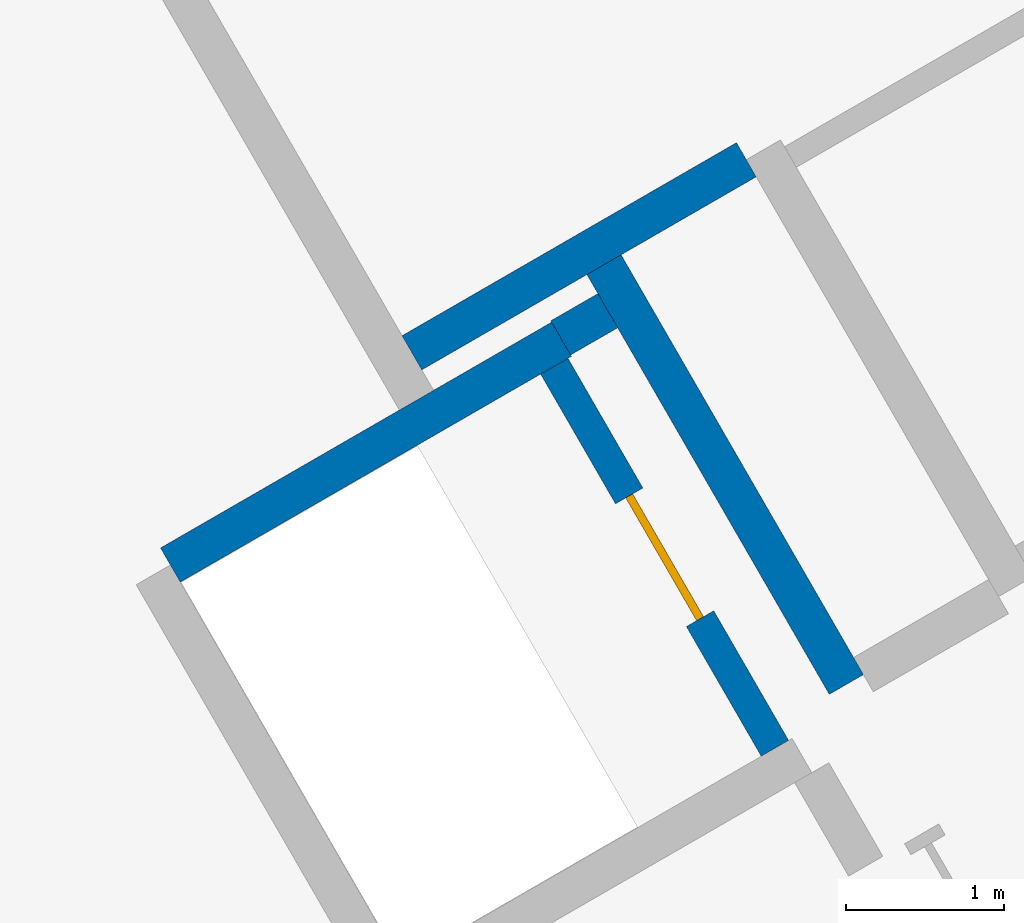
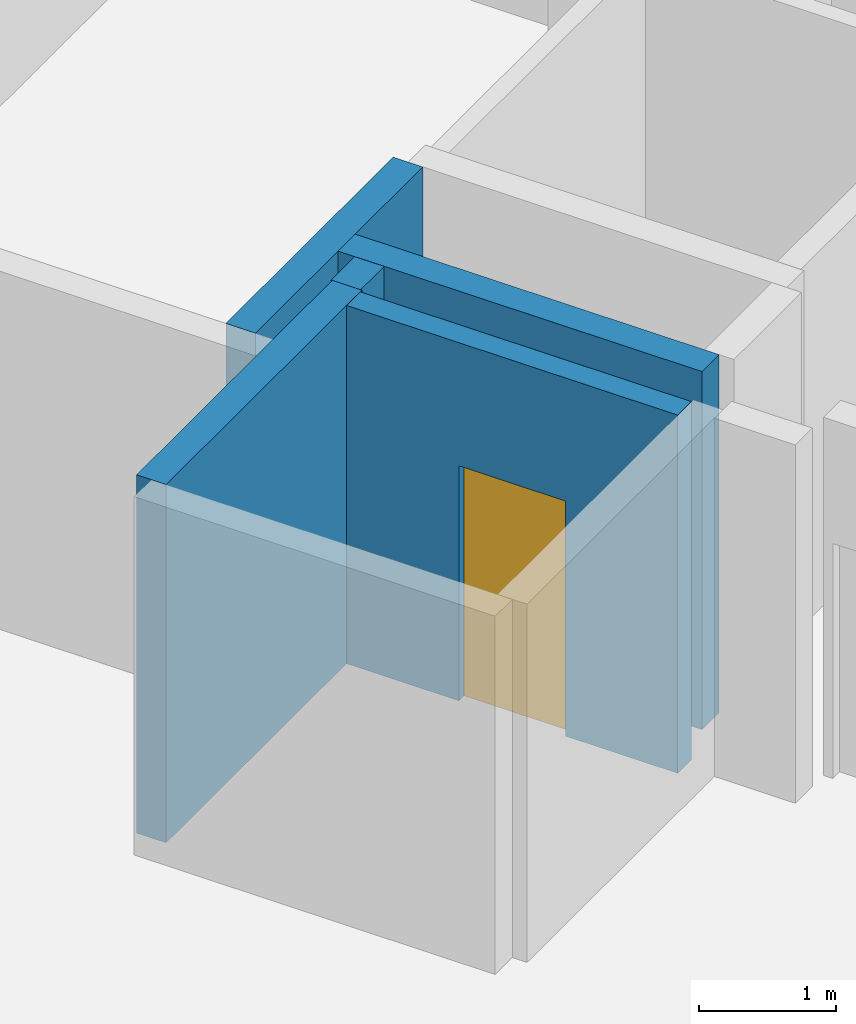
# One storey, part 7 of 37: 5 walls, 1 door, 1 opening.
"""IFC4 building model written with IfcOpenShell, lengths in metres."""

from ifc_helpers import new_model, si_unit, direction, frame, frame_2d, origin, place, context, subcontext, project, spatial, rectangle, extrude, material, layer, layer_set, type_object, element, fill, save


model = new_model("IFC4")

# Units and contexts
model_context = context("Model", 3, precision=1e-05, world=origin(), true_north=direction((0.0, 1.0)))
body_context = subcontext(model_context, "Body", "Model", "MODEL_VIEW")
ifc_project = project(units=[si_unit("LENGTHUNIT", "METRE"), si_unit("AREAUNIT", "SQUARE_METRE"), si_unit("VOLUMEUNIT", "CUBIC_METRE"), si_unit("PLANEANGLEUNIT", "RADIAN"), si_unit("MASSUNIT", "GRAM", prefix="KILO")], contexts=[model_context])

# Site, building, storey
site_placement = place(None, origin())
site = spatial("IfcSite", under=ifc_project, at=site_placement, CompositionType="ELEMENT")
building_placement = place(site_placement, origin())
building = spatial("IfcBuilding", under=site, at=building_placement, Name="Tamra Quay Hotel Tower", CompositionType="ELEMENT")
storey_placement = place(building_placement, frame((0.0, 0.0, -7.199951171875)))
storey = spatial("IfcBuildingStorey", under=building, at=storey_placement, Name="B2", CompositionType="ELEMENT", Elevation=-7.199951171875)

# Wall, opening, door
ifc_material_1 = material(Name="Concrete M70", Category="concrete")
ifc_layer_1 = layer(ifc_material_1, 0.199951171875)
ifc_layer_set_1 = layer_set([ifc_layer_1], Name="Concrete M70 core wall 200")
wall_type_1 = type_object("IfcWallType", Name="Concrete M70 core wall 200", PredefinedType="SHEAR", material=ifc_layer_set_1)
wall_1_placement = place(storey_placement, frame((5.50341796875, -19.352294921875, 0.0), z_axis=(0.0, 0.0, 1.0), x_axis=(-0.499986818241, 0.866033014143, 0.0)))
wall_1 = element("IfcWall", 1, at=wall_1_placement, inside=storey, type_object=wall_type_1, Name="CW2", PredefinedType="SHEAR", context=body_context, shape_type="SweptSolid", body=[
    extrude(rectangle(XDim=2.7978515625, YDim=0.199951171875, at=frame_2d((1.39892578125, 0.0))), origin(), (0.0, 0.0, 1.0), 3.199951171875),
])
opening_placement = place(wall_1_placement, frame((0.948974609375, 0.0, 0.0)))
opening = element("IfcOpeningElement", 2, at=opening_placement, cuts=wall_1, Name="Opening D1", PredefinedType="OPENING", context=body_context, shape_type="SweptSolid", body=[
    extrude(rectangle(XDim=0.89990234375, YDim=2.10009765625, at=frame_2d((0.449951171875, 1.050048828125))), frame((0.0, 0.10986328125, 0.0), z_axis=(0.0, -1.0, 0.0), x_axis=(1.0, 0.0, 0.0)), (0.0, 0.0, 1.0), 0.219970703125),
])
ifc_material_2 = material(Name="Core door D1 900x2100 LH")
door_type = type_object("IfcDoorType", Name="Core door D1 900x2100 LH", OperationType="NOTDEFINED", PredefinedType="DOOR", material=ifc_material_2)
door_placement = place(opening_placement, origin())
door = element("IfcDoor", 3, at=door_placement, inside=storey, type_object=door_type, Name="D1", OperationType="SINGLE_SWING_LEFT", OverallHeight=2.10009765625, OverallWidth=0.89990234375, PredefinedType="DOOR", context=body_context, shape_type="SweptSolid", body=[
    extrude(rectangle(XDim=0.89990234375, YDim=2.10009765625, at=frame_2d((0.449951171875, 1.050048828125))), frame((0.0, 0.02490234375, 0.0), z_axis=(0.0, -1.0, 0.0), x_axis=(1.0, 0.0, 0.0)), (0.0, 0.0, 1.0), 0.050048828125),
])
fill(opening, door)

# Walls
ifc_layer_2 = layer(ifc_material_1, 0.25)
ifc_layer_set_2 = layer_set([ifc_layer_2], Name="Concrete M70 core wall 250")
wall_type_2 = type_object("IfcWallType", Name="Concrete M70 core wall 250", PredefinedType="SHEAR", material=ifc_layer_set_2)
wall_2_placement = place(storey_placement, frame((1.6689453125, -18.189697265625, 0.0), z_axis=(0.0, 0.0, 1.0), x_axis=(0.866042235819, 0.499970844928, 0.0)))
element("IfcWall", 4, at=wall_2_placement, inside=storey, type_object=wall_type_2, Name="CW1", PredefinedType="SHEAR", context=body_context, shape_type="SweptSolid", body=[
    extrude(rectangle(XDim=2.864501953125, YDim=0.25, at=frame_2d((1.43212890625, 0.0))), origin(), (0.0, 0.0, 1.0), 3.199951171875),
])
wall_3_placement = place(storey_placement, frame((4.414306640625, -16.275634765625, 0.0), z_axis=(0.0, 0.0, 1.0), x_axis=(0.500003324108, -0.866023484601, 0.0)))
element("IfcWall", 5, at=wall_3_placement, inside=storey, type_object=wall_type_2, Name="CW1", PredefinedType="SHEAR", context=body_context, shape_type="SweptSolid", body=[
    extrude(rectangle(XDim=3.0849609375, YDim=0.25, at=frame_2d((1.54248046875, 0.0))), origin(), (0.0, 0.0, 1.0), 3.199951171875),
])
wall_4_placement = place(storey_placement, frame((5.322021484375, -15.618896484375, 0.0), z_axis=(0.0, 0.0, 1.0), x_axis=(-0.866026229868, -0.499998569178, 0.0)))
element("IfcWall", 6, at=wall_4_placement, inside=storey, type_object=wall_type_2, Name="CW1", PredefinedType="SHEAR", context=body_context, shape_type="SweptSolid", body=[
    extrude(rectangle(XDim=2.44921875, YDim=0.25, at=frame_2d((1.224609375, 0.0))), origin(), (0.0, 0.0, 1.0), 3.199951171875),
])
wall_5_placement = place(storey_placement, frame((4.144775390625, -16.748779296875, 0.0), z_axis=(0.0, 0.0, 1.0), x_axis=(0.866185586049, 0.49972245349, 0.0)))
element("IfcWall", 7, at=wall_5_placement, inside=storey, type_object=wall_type_2, Name="CW1", PredefinedType="SHEAR", context=body_context, shape_type="SweptSolid", body=[
    extrude(rectangle(XDim=0.344482421875, YDim=0.25, at=frame_2d((0.17236328125, 0.0))), origin(), (0.0, 0.0, 1.0), 3.199951171875),
])

save(model, "model.ifc")
